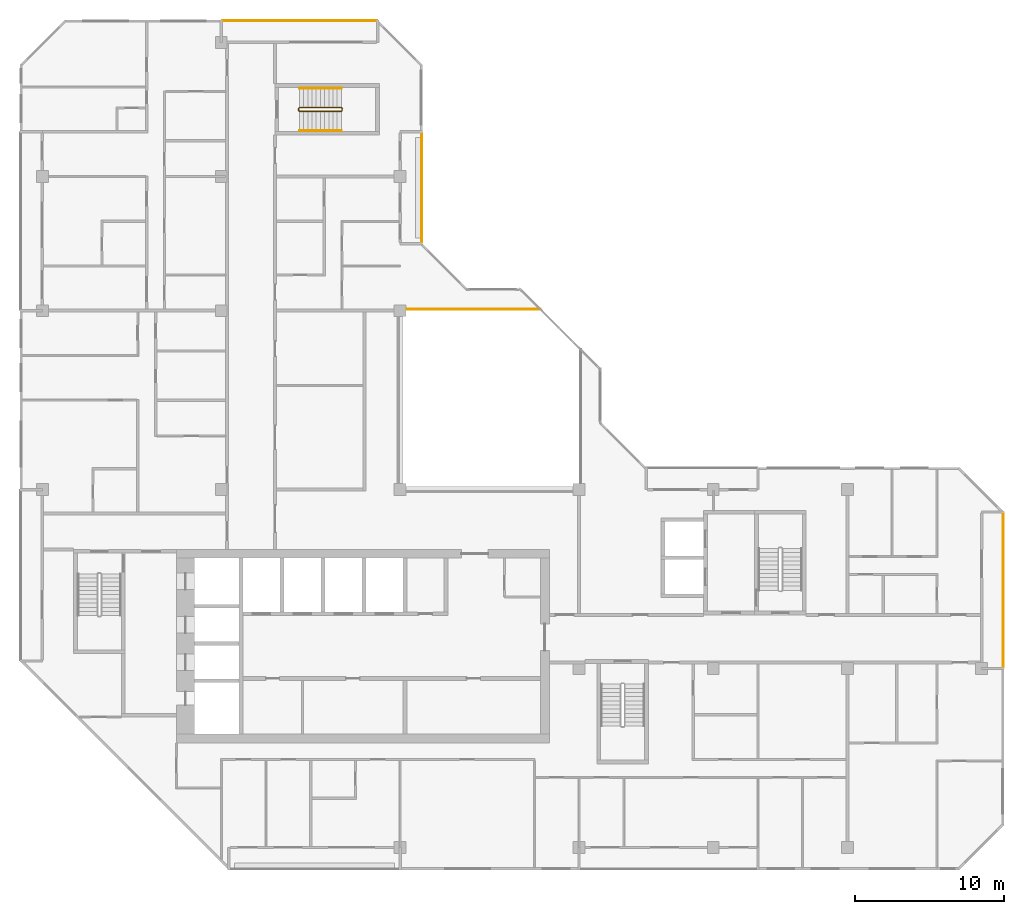
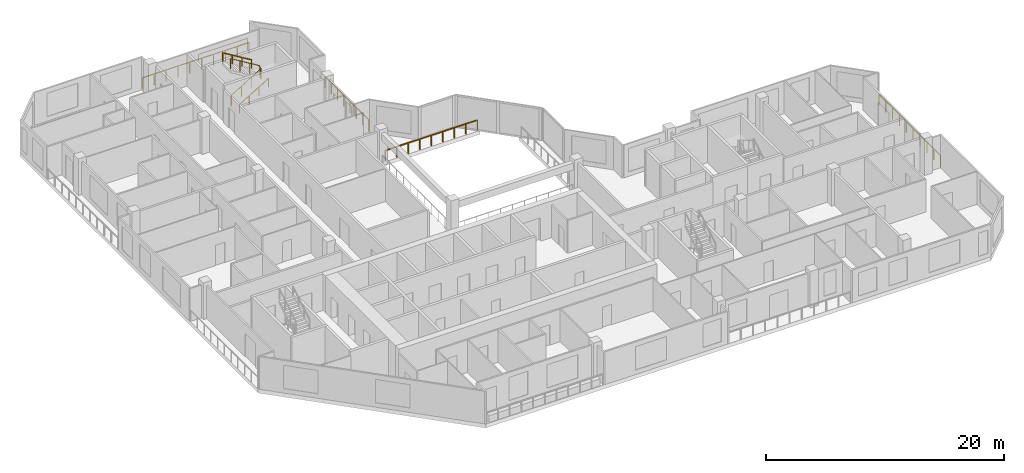
# One storey, part 13 of 13: 7 railings.
"""IFC4 building model written with IfcOpenShell, lengths in metres."""

from ifc_helpers import new_model, si_unit, direction, frame, origin, origin_2d, place, context, subcontext, project, spatial, rectangle, extrude, material, type_object, element, save


model = new_model("IFC4")

# Units and contexts
model_context = context("Model", 3, precision=1e-05, world=origin(), true_north=direction((0.0, 1.0)))
body_context = subcontext(model_context, "Body", "Model", "MODEL_VIEW")
ifc_project = project(units=[si_unit("LENGTHUNIT", "METRE"), si_unit("AREAUNIT", "SQUARE_METRE"), si_unit("VOLUMEUNIT", "CUBIC_METRE"), si_unit("PLANEANGLEUNIT", "RADIAN"), si_unit("MASSUNIT", "GRAM", prefix="KILO")], contexts=[model_context])

# Site, building, storey
site_placement = place(None, origin())
site = spatial("IfcSite", under=ifc_project, at=site_placement, CompositionType="ELEMENT")
building_placement = place(site_placement, origin())
building = spatial("IfcBuilding", under=site, at=building_placement, Name="Chenar Terraces", CompositionType="ELEMENT")
storey_placement = place(building_placement, frame((0.0, 0.0, 314.64990234375)))
storey = spatial("IfcBuildingStorey", under=building, at=storey_placement, Name="L74", CompositionType="ELEMENT", Elevation=314.64990234375)

# Railings
ifc_material_1 = material(Name="Powder-coated steel", Category="steel")
railing_type_1 = type_object("IfcRailingType", Name="Guard 1100 steel rail with glass infill", PredefinedType="GUARDRAIL", material=ifc_material_1)
railing_1_placement = place(storey_placement, frame((24.449951171875, 36.10009765625, 0.0)))
element("IfcRailing", 1, at=railing_1_placement, inside=storey, type_object=railing_type_1, Name="Guard L74-2", PredefinedType="GUARDRAIL", context=body_context, shape_type="SweptSolid", body=[
    extrude(rectangle(XDim=0.06005859375, YDim=0.06005859375, at=origin_2d()), frame((0.0, 0.0, 1.070068359375), z_axis=(1.0, 0.0, 0.0), x_axis=(0.0, 1.0, 0.0)), (0.0, 0.0, 1.0), 8.949951171875),
    extrude(rectangle(XDim=0.050048828125, YDim=0.050048828125, at=origin_2d()), origin(), (0.0, 0.0, 1.0), 1.0400390625),
    extrude(rectangle(XDim=0.050048828125, YDim=0.050048828125, at=origin_2d()), frame((1.11865234375, 0.0, 0.0)), (0.0, 0.0, 1.0), 1.0400390625),
    extrude(rectangle(XDim=0.050048828125, YDim=0.050048828125, at=origin_2d()), frame((2.237548828125, 0.0, 0.0)), (0.0, 0.0, 1.0), 1.0400390625),
    extrude(rectangle(XDim=0.050048828125, YDim=0.050048828125, at=origin_2d()), frame((3.356201171875, 0.0, 0.0)), (0.0, 0.0, 1.0), 1.0400390625),
    extrude(rectangle(XDim=0.050048828125, YDim=0.050048828125, at=origin_2d()), frame((4.47509765625, 0.0, 0.0)), (0.0, 0.0, 1.0), 1.0400390625),
    extrude(rectangle(XDim=0.050048828125, YDim=0.050048828125, at=origin_2d()), frame((5.59375, 0.0, 0.0)), (0.0, 0.0, 1.0), 1.0400390625),
    extrude(rectangle(XDim=0.050048828125, YDim=0.050048828125, at=origin_2d()), frame((6.71240234375, 0.0, 0.0)), (0.0, 0.0, 1.0), 1.0400390625),
    extrude(rectangle(XDim=0.050048828125, YDim=0.050048828125, at=origin_2d()), frame((7.831298828125, 0.0, 0.0)), (0.0, 0.0, 1.0), 1.0400390625),
    extrude(rectangle(XDim=0.050048828125, YDim=0.050048828125, at=origin_2d()), frame((8.949951171875, 0.0, 0.0)), (0.0, 0.0, 1.0), 1.0400390625),
])
ifc_material_2 = material(Name="Stainless steel and glass", Category="steel")
railing_type_2 = type_object("IfcRailingType", Name="Loggia guard 1150", PredefinedType="GUARDRAIL", material=ifc_material_2)
railing_2_placement = place(storey_placement, frame((25.449951171875, 40.574951171875, 0.0)))
element("IfcRailing", 2, at=railing_2_placement, inside=storey, type_object=railing_type_2, Name="Loggia guard", PredefinedType="GUARDRAIL", context=body_context, shape_type="SweptSolid", body=[
    extrude(rectangle(XDim=0.048095703125, YDim=0.048095703125, at=origin_2d()), frame((0.0, 0.0, 1.1259765625), z_axis=(0.0, 1.0, 0.0), x_axis=(-1.0, 0.0, 0.0)), (0.0, 0.0, 1.0), 7.35009765625),
    extrude(rectangle(XDim=0.0419921875, YDim=0.0419921875, at=origin_2d()), origin(), (0.0, 0.0, 1.0), 1.101806640625),
    extrude(rectangle(XDim=0.0419921875, YDim=0.0419921875, at=origin_2d()), frame((0.0, 1.050048828125, 0.0)), (0.0, 0.0, 1.0), 1.101806640625),
    extrude(rectangle(XDim=0.0419921875, YDim=0.0419921875, at=origin_2d()), frame((0.0, 2.10009765625, 0.0)), (0.0, 0.0, 1.0), 1.101806640625),
    extrude(rectangle(XDim=0.0419921875, YDim=0.0419921875, at=origin_2d()), frame((0.0, 3.150146484375, 0.0)), (0.0, 0.0, 1.0), 1.101806640625),
    extrude(rectangle(XDim=0.0419921875, YDim=0.0419921875, at=origin_2d()), frame((0.0, 4.199951171875, 0.0)), (0.0, 0.0, 1.0), 1.101806640625),
    extrude(rectangle(XDim=0.0419921875, YDim=0.0419921875, at=origin_2d()), frame((0.0, 5.25, 0.0)), (0.0, 0.0, 1.0), 1.101806640625),
    extrude(rectangle(XDim=0.0419921875, YDim=0.0419921875, at=origin_2d()), frame((0.0, 6.300048828125, 0.0)), (0.0, 0.0, 1.0), 1.101806640625),
    extrude(rectangle(XDim=0.0419921875, YDim=0.0419921875, at=origin_2d()), frame((0.0, 7.35009765625, 0.0)), (0.0, 0.0, 1.0), 1.101806640625),
])
railing_3_placement = place(storey_placement, frame((64.449951171875, 12.074951171875, 0.0)))
element("IfcRailing", 3, at=railing_3_placement, inside=storey, type_object=railing_type_2, Name="Loggia guard", PredefinedType="GUARDRAIL", context=body_context, shape_type="SweptSolid", body=[
    extrude(rectangle(XDim=0.048095703125, YDim=0.048095703125, at=origin_2d()), frame((0.0, 0.0, 1.1259765625), z_axis=(0.0, 1.0, 0.0), x_axis=(-1.0, 0.0, 0.0)), (0.0, 0.0, 1.0), 10.35009765625),
    extrude(rectangle(XDim=0.0419921875, YDim=0.0419921875, at=origin_2d()), origin(), (0.0, 0.0, 1.0), 1.101806640625),
    extrude(rectangle(XDim=0.0419921875, YDim=0.0419921875, at=origin_2d()), frame((0.0, 1.14990234375, 0.0)), (0.0, 0.0, 1.0), 1.101806640625),
    extrude(rectangle(XDim=0.0419921875, YDim=0.0419921875, at=origin_2d()), frame((0.0, 2.300048828125, 0.0)), (0.0, 0.0, 1.0), 1.101806640625),
    extrude(rectangle(XDim=0.0419921875, YDim=0.0419921875, at=origin_2d()), frame((0.0, 3.449951171875, 0.0)), (0.0, 0.0, 1.0), 1.101806640625),
    extrude(rectangle(XDim=0.0419921875, YDim=0.0419921875, at=origin_2d()), frame((0.0, 4.60009765625, 0.0)), (0.0, 0.0, 1.0), 1.101806640625),
    extrude(rectangle(XDim=0.0419921875, YDim=0.0419921875, at=origin_2d()), frame((0.0, 5.75, 0.0)), (0.0, 0.0, 1.0), 1.101806640625),
    extrude(rectangle(XDim=0.0419921875, YDim=0.0419921875, at=origin_2d()), frame((0.0, 6.900146484375, 0.0)), (0.0, 0.0, 1.0), 1.101806640625),
    extrude(rectangle(XDim=0.0419921875, YDim=0.0419921875, at=origin_2d()), frame((0.0, 8.050048828125, 0.0)), (0.0, 0.0, 1.0), 1.101806640625),
    extrude(rectangle(XDim=0.0419921875, YDim=0.0419921875, at=origin_2d()), frame((0.0, 9.2001953125, 0.0)), (0.0, 0.0, 1.0), 1.101806640625),
    extrude(rectangle(XDim=0.0419921875, YDim=0.0419921875, at=origin_2d()), frame((0.0, 10.35009765625, 0.0)), (0.0, 0.0, 1.0), 1.101806640625),
])
railing_4_placement = place(storey_placement, frame((22.425048828125, 55.449951171875, 0.0)))
element("IfcRailing", 4, at=railing_4_placement, inside=storey, type_object=railing_type_2, Name="Loggia guard", PredefinedType="GUARDRAIL", context=body_context, shape_type="SweptSolid", body=[
    extrude(rectangle(XDim=0.048095703125, YDim=0.048095703125, at=origin_2d()), frame((0.0, 0.0, 1.1259765625), z_axis=(-1.0, 0.0, 0.0), x_axis=(0.0, -1.0, 0.0)), (0.0, 0.0, 1.0), 10.35009765625),
    extrude(rectangle(XDim=0.0419921875, YDim=0.0419921875, at=origin_2d()), origin(), (0.0, 0.0, 1.0), 1.101806640625),
    extrude(rectangle(XDim=0.0419921875, YDim=0.0419921875, at=origin_2d()), frame((-1.14990234375, 0.0, 0.0)), (0.0, 0.0, 1.0), 1.101806640625),
    extrude(rectangle(XDim=0.0419921875, YDim=0.0419921875, at=origin_2d()), frame((-2.300048828125, 0.0, 0.0)), (0.0, 0.0, 1.0), 1.101806640625),
    extrude(rectangle(XDim=0.0419921875, YDim=0.0419921875, at=origin_2d()), frame((-3.449951171875, 0.0, 0.0)), (0.0, 0.0, 1.0), 1.101806640625),
    extrude(rectangle(XDim=0.0419921875, YDim=0.0419921875, at=origin_2d()), frame((-4.60009765625, 0.0, 0.0)), (0.0, 0.0, 1.0), 1.101806640625),
    extrude(rectangle(XDim=0.0419921875, YDim=0.0419921875, at=origin_2d()), frame((-5.75, 0.0, 0.0)), (0.0, 0.0, 1.0), 1.101806640625),
    extrude(rectangle(XDim=0.0419921875, YDim=0.0419921875, at=origin_2d()), frame((-6.900146484375, 0.0, 0.0)), (0.0, 0.0, 1.0), 1.101806640625),
    extrude(rectangle(XDim=0.0419921875, YDim=0.0419921875, at=origin_2d()), frame((-8.050048828125, 0.0, 0.0)), (0.0, 0.0, 1.0), 1.101806640625),
    extrude(rectangle(XDim=0.0419921875, YDim=0.0419921875, at=origin_2d()), frame((-9.2001953125, 0.0, 0.0)), (0.0, 0.0, 1.0), 1.101806640625),
    extrude(rectangle(XDim=0.0419921875, YDim=0.0419921875, at=origin_2d()), frame((-10.35009765625, 0.0, 0.0)), (0.0, 0.0, 1.0), 1.101806640625),
])
ifc_material_3 = material(Name="Powder-coated steel", Category="steel")
railing_type_3 = type_object("IfcRailingType", Name="Stair guard 1100", PredefinedType="GUARDRAIL", material=ifc_material_3)
railing_5_placement = place(storey_placement, frame((17.25, 49.625, 3.75)))
element("IfcRailing", 5, at=railing_5_placement, inside=storey, type_object=railing_type_3, Name="L74 ST4 stair guard 1", PredefinedType="GUARDRAIL", context=body_context, shape_type="SweptSolid", body=[
    extrude(rectangle(XDim=0.048095703125, YDim=0.048095703125, at=origin_2d()), frame((0.0, 0.0, 1.076171875), z_axis=(0.854202870247, 0.0, -0.519939858505), x_axis=(0.0, 1.0, 0.0)), (0.0, 0.0, 1.0), 3.278076171875),
    extrude(rectangle(XDim=0.048095703125, YDim=0.048095703125, at=origin_2d()), frame((2.800048828125, 0.0, -0.62841796875), z_axis=(0.270899902878, -0.270899902878, -0.923702595667), x_axis=(0.707106781187, 0.707106781187, 0.0)), (0.0, 0.0, 1.0), 0.184814453125),
    extrude(rectangle(XDim=0.048095703125, YDim=0.048095703125, at=origin_2d()), frame((2.85009765625, -0.050048828125, -0.798828125), z_axis=(0.0, -1.0, 0.0), x_axis=(1.0, 0.0, 0.0)), (0.0, 0.0, 1.0), 0.14990234375),
    extrude(rectangle(XDim=0.048095703125, YDim=0.048095703125, at=origin_2d()), frame((2.85009765625, -0.199951171875, -0.798828125), z_axis=(-0.707106781187, -0.707106781187, 0.0), x_axis=(0.707106781187, -0.707106781187, 0.0)), (0.0, 0.0, 1.0), 0.07080078125),
    extrude(rectangle(XDim=0.048095703125, YDim=0.048095703125, at=origin_2d()), frame((2.800048828125, -0.25, -0.798828125), z_axis=(-0.854202870247, 0.0, -0.519939858505), x_axis=(0.0, -1.0, 0.0)), (0.0, 0.0, 1.0), 3.278076171875),
    extrude(rectangle(XDim=0.048095703125, YDim=0.048095703125, at=origin_2d()), frame((0.0, -0.25, -2.50341796875), z_axis=(-0.270899902878, 0.270899902878, -0.923702595667), x_axis=(-0.707106781187, -0.707106781187, 0.0)), (0.0, 0.0, 1.0), 0.184814453125),
    extrude(rectangle(XDim=0.048095703125, YDim=0.048095703125, at=origin_2d()), frame((-0.050048828125, -0.199951171875, -2.673828125), z_axis=(0.0, 1.0, 0.0), x_axis=(-1.0, 0.0, 0.0)), (0.0, 0.0, 1.0), 0.14990234375),
    extrude(rectangle(XDim=0.0419921875, YDim=0.0419921875, at=origin_2d()), origin(), (0.0, 0.0, 1.0), 1.052001953125),
    extrude(rectangle(XDim=0.0419921875, YDim=0.0419921875, at=origin_2d()), frame((0.933349609375, 0.0, -0.568115234375)), (0.0, 0.0, 1.0), 1.052001953125),
    extrude(rectangle(XDim=0.0419921875, YDim=0.0419921875, at=origin_2d()), frame((1.86669921875, 0.0, -1.13623046875)), (0.0, 0.0, 1.0), 1.052001953125),
    extrude(rectangle(XDim=0.0419921875, YDim=0.0419921875, at=origin_2d()), frame((2.800048828125, 0.0, -1.704345703125)), (0.0, 0.0, 1.0), 1.052001953125),
    extrude(rectangle(XDim=0.0419921875, YDim=0.0419921875, at=origin_2d()), frame((2.85009765625, -0.050048828125, -1.875)), (0.0, 0.0, 1.0), 1.052001953125),
    extrude(rectangle(XDim=0.0419921875, YDim=0.0419921875, at=origin_2d()), frame((2.85009765625, -0.199951171875, -1.875)), (0.0, 0.0, 1.0), 1.052001953125),
    extrude(rectangle(XDim=0.0419921875, YDim=0.0419921875, at=origin_2d()), frame((2.800048828125, -0.25, -1.875)), (0.0, 0.0, 1.0), 1.052001953125),
    extrude(rectangle(XDim=0.0419921875, YDim=0.0419921875, at=origin_2d()), frame((1.86669921875, -0.25, -2.443115234375)), (0.0, 0.0, 1.0), 1.052001953125),
    extrude(rectangle(XDim=0.0419921875, YDim=0.0419921875, at=origin_2d()), frame((0.933349609375, -0.25, -3.01123046875)), (0.0, 0.0, 1.0), 1.052001953125),
    extrude(rectangle(XDim=0.0419921875, YDim=0.0419921875, at=origin_2d()), frame((0.0, -0.25, -3.579345703125)), (0.0, 0.0, 1.0), 1.052001953125),
    extrude(rectangle(XDim=0.0419921875, YDim=0.0419921875, at=origin_2d()), frame((-0.050048828125, -0.199951171875, -3.75)), (0.0, 0.0, 1.0), 1.052001953125),
    extrude(rectangle(XDim=0.0419921875, YDim=0.0419921875, at=origin_2d()), frame((-0.050048828125, -0.050048828125, -3.75)), (0.0, 0.0, 1.0), 1.052001953125),
])
ifc_material_4 = material(Name="Powder-coated steel", Category="steel")
railing_type_4 = type_object("IfcRailingType", Name="Stair handrail 900", PredefinedType="HANDRAIL", material=ifc_material_4)
railing_6_placement = place(storey_placement, frame((17.25, 48.074951171875, 0.170654296875)))
element("IfcRailing", 6, at=railing_6_placement, inside=storey, type_object=railing_type_4, Name="L74 ST4 stair handrail 1", PredefinedType="HANDRAIL", context=body_context, shape_type="SweptSolid", body=[
    extrude(rectangle(XDim=0.048095703125, YDim=0.048095703125, at=origin_2d()), frame((0.0, 0.0, 0.8759765625), z_axis=(0.854202870247, 0.0, 0.519939858505), x_axis=(0.0, 1.0, 0.0)), (0.0, 0.0, 1.0), 3.278076171875),
    extrude(rectangle(XDim=0.0419921875, YDim=0.0419921875, at=origin_2d()), origin(), (0.0, 0.0, 1.0), 0.851806640625),
    extrude(rectangle(XDim=0.0419921875, YDim=0.0419921875, at=origin_2d()), frame((0.933349609375, 0.0, 0.568115234375)), (0.0, 0.0, 1.0), 0.851806640625),
    extrude(rectangle(XDim=0.0419921875, YDim=0.0419921875, at=origin_2d()), frame((1.86669921875, 0.0, 1.13623046875)), (0.0, 0.0, 1.0), 0.851806640625),
    extrude(rectangle(XDim=0.0419921875, YDim=0.0419921875, at=origin_2d()), frame((2.800048828125, 0.0, 1.704345703125)), (0.0, 0.0, 1.0), 0.851806640625),
])
railing_7_placement = place(storey_placement, frame((20.050048828125, 50.925048828125, 2.045654296875)))
element("IfcRailing", 7, at=railing_7_placement, inside=storey, type_object=railing_type_4, Name="L74 ST4 stair handrail 2", PredefinedType="HANDRAIL", context=body_context, shape_type="SweptSolid", body=[
    extrude(rectangle(XDim=0.048095703125, YDim=0.048095703125, at=origin_2d()), frame((0.0, 0.0, 0.8759765625), z_axis=(-0.854202870247, 0.0, 0.519939858505), x_axis=(0.0, -1.0, 0.0)), (0.0, 0.0, 1.0), 3.278076171875),
    extrude(rectangle(XDim=0.0419921875, YDim=0.0419921875, at=origin_2d()), origin(), (0.0, 0.0, 1.0), 0.851806640625),
    extrude(rectangle(XDim=0.0419921875, YDim=0.0419921875, at=origin_2d()), frame((-0.933349609375, 0.0, 0.568115234375)), (0.0, 0.0, 1.0), 0.851806640625),
    extrude(rectangle(XDim=0.0419921875, YDim=0.0419921875, at=origin_2d()), frame((-1.86669921875, 0.0, 1.13623046875)), (0.0, 0.0, 1.0), 0.851806640625),
    extrude(rectangle(XDim=0.0419921875, YDim=0.0419921875, at=origin_2d()), frame((-2.800048828125, 0.0, 1.704345703125)), (0.0, 0.0, 1.0), 0.851806640625),
])

save(model, "model.ifc")
